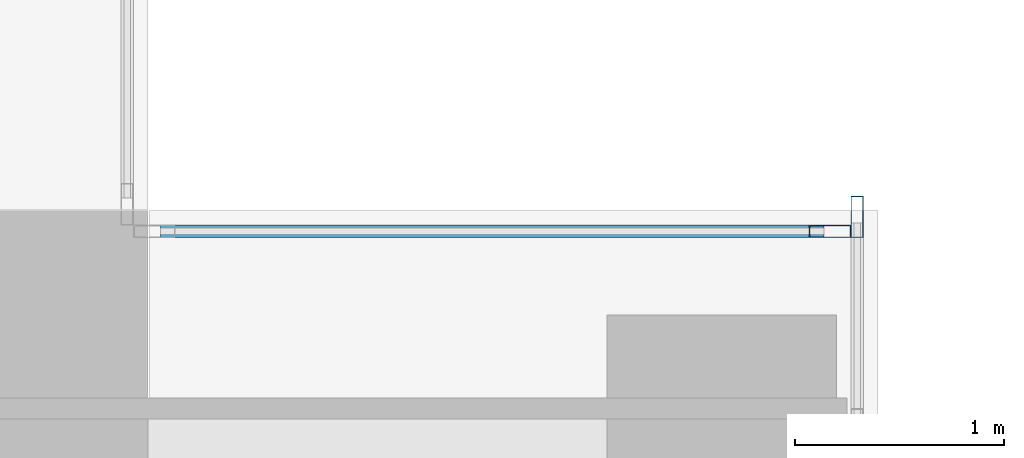
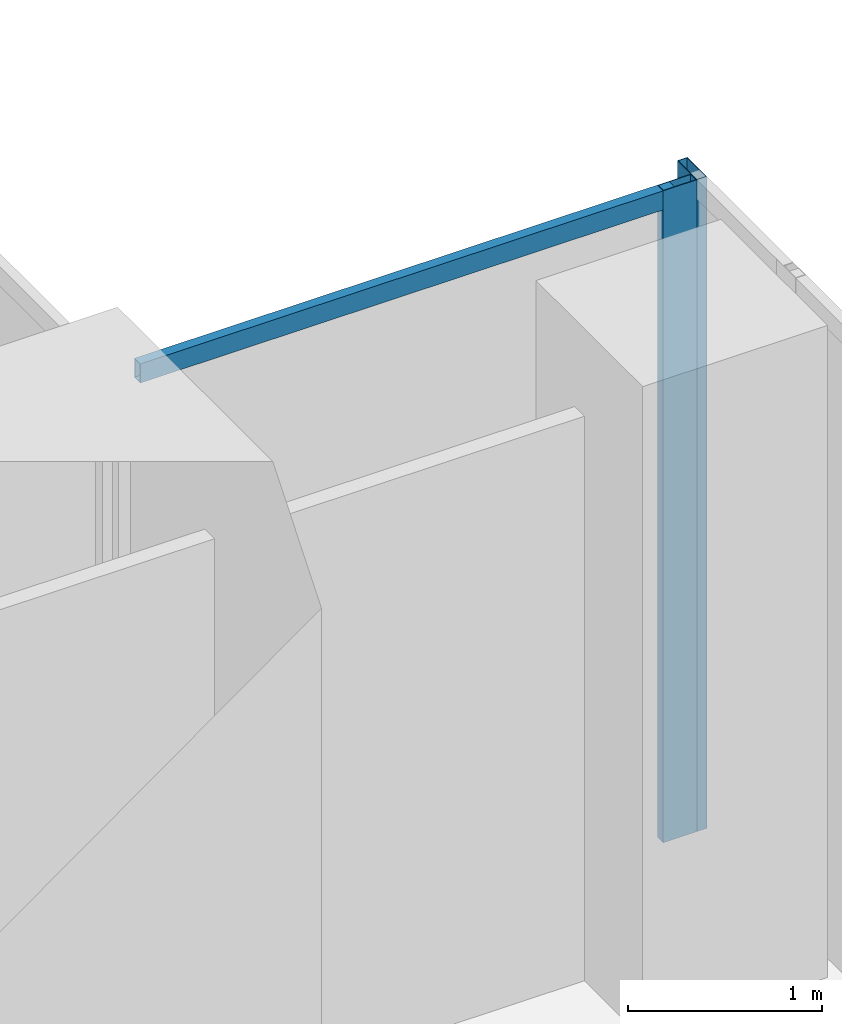
# One storey, part 22 of 35: 3 members, 2 elements without a shape of their own.
"""IFC4 building model written with IfcOpenShell, lengths in metres."""

from ifc_helpers import new_model, si_unit, direction, frame, origin, origin_2d, place, context, subcontext, project, spatial, hollow_rectangle, extrude, source, transform, mapped, material, material_profile, profile_set, type_object, element, aggregate, save


model = new_model("IFC4")

# Units and contexts
model_context = context("Model", 3, precision=1e-05, world=origin(), true_north=direction((0.0, 1.0)))
body_context = subcontext(model_context, "Body", "Model", "MODEL_VIEW")
ifc_project = project(units=[si_unit("LENGTHUNIT", "METRE"), si_unit("AREAUNIT", "SQUARE_METRE"), si_unit("VOLUMEUNIT", "CUBIC_METRE"), si_unit("PLANEANGLEUNIT", "RADIAN"), si_unit("MASSUNIT", "GRAM", prefix="KILO")], contexts=[model_context])

# Site, building, storey
site_placement = place(None, origin())
site = spatial("IfcSite", under=ifc_project, at=site_placement, CompositionType="ELEMENT")
building_placement = place(site_placement, origin())
building = spatial("IfcBuilding", under=site, at=building_placement, Name="Khomas Fold Tower", CompositionType="ELEMENT")
storey_placement = place(building_placement, frame((0.0, 0.0, 132.300048828125)))
storey = spatial("IfcBuildingStorey", under=building, at=storey_placement, Name="L28", CompositionType="ELEMENT", Elevation=132.300048828125)

# Curtain wall, member
ifc_material_1 = material(Name="Aluminium framed double glazing", Category="aluminium")
curtain_wall_type = type_object("IfcCurtainWallType", Name="SK-Unitised clear-glass wall, growing floors CW1", PredefinedType="NOTDEFINED", material=ifc_material_1)
curtain_wall_1_placement = place(storey_placement, origin())
curtain_wall_1 = element("IfcCurtainWall", 1, at=curtain_wall_1_placement, inside=storey, type_object=curtain_wall_type, Name="CW1 corner return L28 04", PredefinedType="NOTDEFINED")
ifc_material_2 = material(Name="Aluminium", Category="aluminium")
ifc_material_profile_1 = material_profile(ifc_material_2, hollow_rectangle(XDim=0.06005859375, YDim=0.1201171875, WallThickness=0.00390625, at=origin_2d()), Name="SK-Unitised clear-glass wall, growing floors transom CW1-T")
ifc_profile_set_1 = profile_set([ifc_material_profile_1], Name="Aluminium")
member_type_1 = type_object("IfcMemberType", Name="SK-Unitised clear-glass wall, growing floors transom CW1-T", PredefinedType="USERDEFINED", material=ifc_profile_set_1)
shared_shape_1 = source(origin(), body_context, "Body", "SweptSolid", [
    extrude(hollow_rectangle(XDim=0.06005859375, YDim=0.1201171875, WallThickness=0.00390625, at=origin_2d()), origin(), (0.0, 0.0, 1.0), 3.179931640625),
])
member_1_placement = place(storey_placement, frame((52.239990234375, 48.89990234375, 4.0400390625), z_axis=(-1.0, 0.0, 0.0), x_axis=(0.0, -1.0, 0.0)))
member_1 = element("IfcMember", 2, at=member_1_placement, type_object=member_type_1, Name="CW1 transom 1", ObjectType="TRANSOM", PredefinedType="USERDEFINED", context=body_context, shape_type="MappedRepresentation", body=[
    mapped(shared_shape_1, transform((0.0, 0.0, 0.0))),
])

curtain_wall_2_placement = place(storey_placement, origin())
curtain_wall_2 = element("IfcCurtainWall", 3, at=curtain_wall_2_placement, inside=storey, type_object=curtain_wall_type, Name="CW1 run L28 03-1", PredefinedType="NOTDEFINED")
ifc_material_3 = material(Name="Aluminium", Category="aluminium")
ifc_material_profile_2 = material_profile(ifc_material_3, hollow_rectangle(XDim=0.06005859375, YDim=0.199951171875, WallThickness=0.00390625, at=origin_2d()), Name="SK-Unitised clear-glass wall, growing floors mullion CW1-M")
ifc_profile_set_2 = profile_set([ifc_material_profile_2], Name="Aluminium")
member_type_2 = type_object("IfcMemberType", Name="SK-Unitised clear-glass wall, growing floors mullion CW1-M", PredefinedType="MULLION", material=ifc_profile_set_2)
shared_shape_2 = source(origin(), body_context, "Body", "SweptSolid", [
    extrude(hollow_rectangle(XDim=0.06005859375, YDim=0.199951171875, WallThickness=0.00390625, at=origin_2d()), origin(), (0.0, 0.0, 1.0), 4.099853515625),
])
member_2_placement = place(storey_placement, frame((52.39990234375, 48.969970703125, 0.0), z_axis=(0.0, 0.0, 1.0), x_axis=(-1.0, 0.0, 0.0)))
member_2 = element("IfcMember", 4, at=member_2_placement, type_object=member_type_2, Name="CW1 mullion 4", PredefinedType="MULLION", context=body_context, shape_type="MappedRepresentation", body=[
    mapped(shared_shape_2, transform((0.0, 0.0, 0.0))),
])
aggregate(curtain_wall_2, [member_2])

# Member
member_3_placement = place(storey_placement, frame((52.27001953125, 48.89990234375, 0.0), z_axis=(0.0, 0.0, 1.0), x_axis=(0.0, -1.0, 0.0)))
member_3 = element("IfcMember", 5, at=member_3_placement, type_object=member_type_2, Name="CW1 mullion 1", PredefinedType="MULLION", context=body_context, shape_type="MappedRepresentation", body=[
    mapped(shared_shape_2, transform((0.0, 0.0, 0.0))),
])

aggregate(curtain_wall_1, [member_3, member_1])

save(model, "model.ifc")
